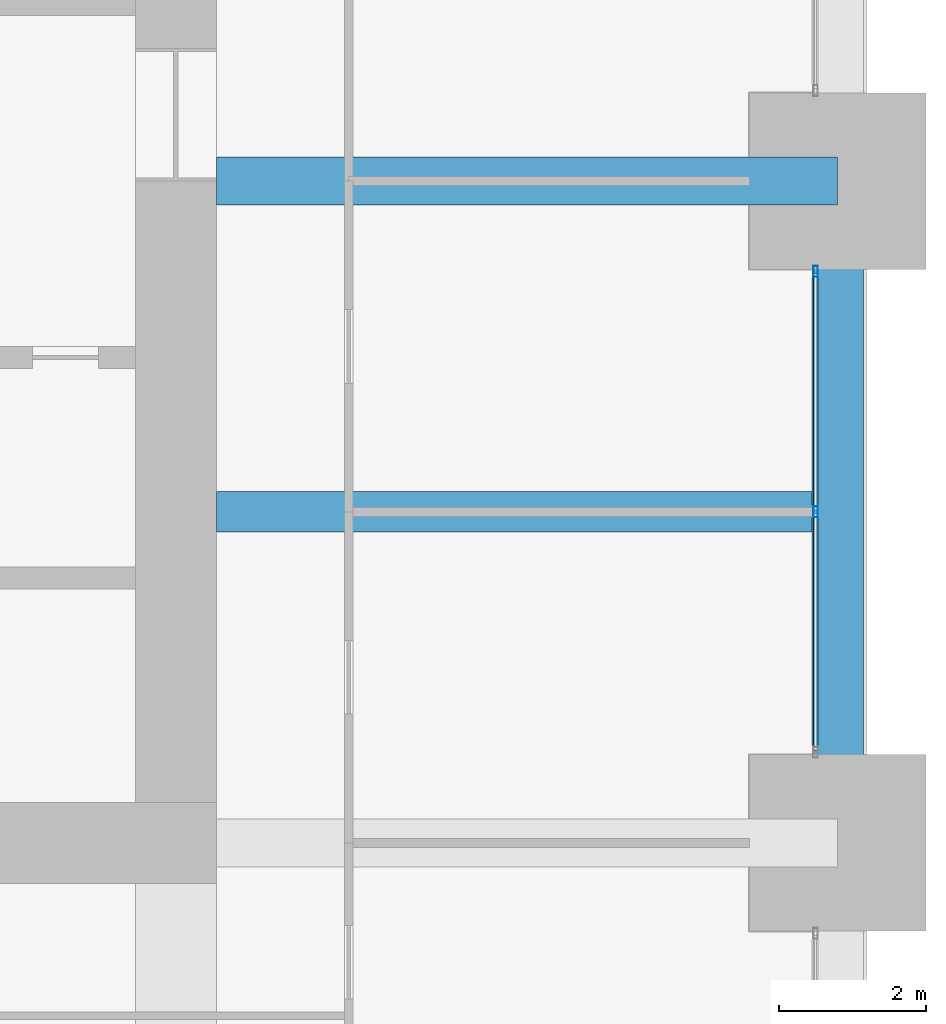
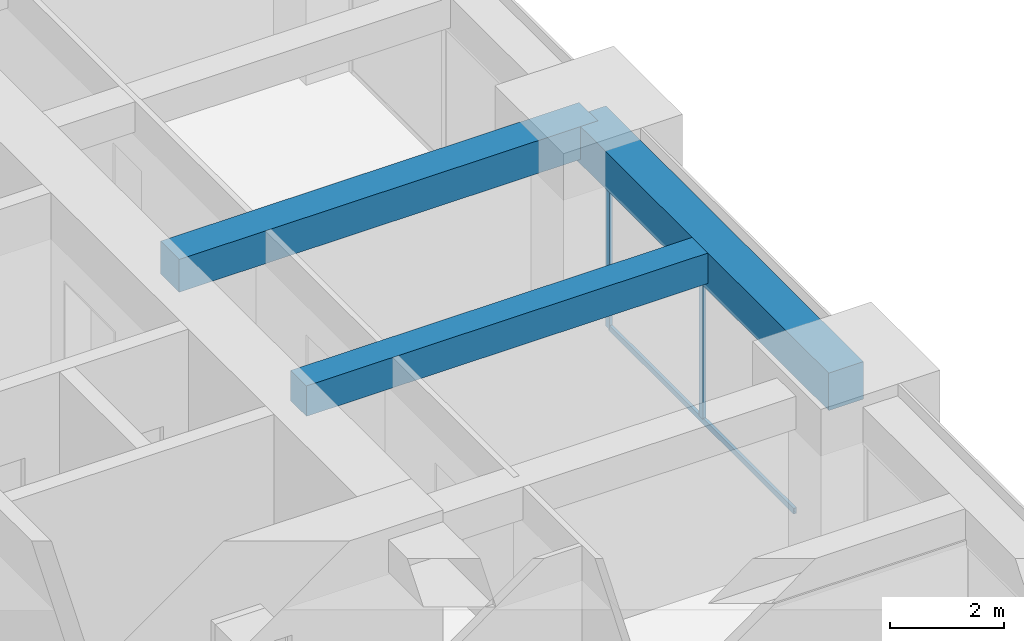
# One storey, part 18 of 32: 3 beams, 3 members, 1 element without a shape of its own.
"""IFC4 building model written with IfcOpenShell, lengths in metres."""

from ifc_helpers import new_model, si_unit, direction, frame, origin, origin_2d, place, context, subcontext, project, spatial, rectangle, hollow_rectangle, extrude, material, material_profile, profile_set, type_object, element, aggregate, save


model = new_model("IFC4")

# Units and contexts
model_context = context("Model", 3, precision=1e-05, world=origin(), true_north=direction((0.0, 1.0)))
body_context = subcontext(model_context, "Body", "Model", "MODEL_VIEW")
ifc_project = project(units=[si_unit("LENGTHUNIT", "METRE"), si_unit("AREAUNIT", "SQUARE_METRE"), si_unit("VOLUMEUNIT", "CUBIC_METRE"), si_unit("PLANEANGLEUNIT", "RADIAN"), si_unit("MASSUNIT", "GRAM", prefix="KILO")], contexts=[model_context])

# Site, building, storey
site_placement = place(None, origin())
site = spatial("IfcSite", under=ifc_project, at=site_placement, CompositionType="ELEMENT")
building_placement = place(site_placement, origin())
building = spatial("IfcBuilding", under=site, at=building_placement, Name="Zorevar Civic Tower", CompositionType="ELEMENT")
storey_placement = place(building_placement, frame((0.0, 0.0, 186.199951171875)))
storey = spatial("IfcBuildingStorey", under=building, at=storey_placement, Name="L45", CompositionType="ELEMENT", Elevation=186.199951171875)

# Beams
ifc_material_1 = material(Name="Concrete C50/60", Category="concrete")
ifc_material_profile_1 = material_profile(ifc_material_1, rectangle(XDim=0.550048828125, YDim=0.64990234375, at=origin_2d()), Name="RC 550x650")
ifc_profile_set_1 = profile_set([ifc_material_profile_1], Name="Concrete C50/60")
beam_type_1 = type_object("IfcBeamType", Name="Beam RC 550x650", PredefinedType="BEAM", material=ifc_profile_set_1)
beam_1_placement = place(storey_placement, frame((45.550048828125, 22.5, 3.425048828125), z_axis=(1.0, 0.0, 0.0), x_axis=(0.0, 1.0, 0.0)))
element("IfcBeam", 1, at=beam_1_placement, inside=storey, type_object=beam_type_1, Name="Secondary beam L46", PredefinedType="BEAM", context=body_context, shape_type="SweptSolid", body=[
    extrude(rectangle(XDim=0.550048828125, YDim=0.64990234375, at=origin_2d()), origin(), (0.0, 0.0, 1.0), 8.099853515625),
])
ifc_material_2 = material(Name="Concrete C50/60", Category="concrete")
ifc_material_profile_2 = material_profile(ifc_material_2, rectangle(XDim=0.64990234375, YDim=0.699951171875, at=origin_2d()), Name="RC 650x700")
ifc_profile_set_2 = profile_set([ifc_material_profile_2], Name="Concrete C50/60")
beam_type_2 = type_object("IfcBeamType", Name="Beam RC 650x700", PredefinedType="BEAM", material=ifc_profile_set_2)
beam_2_placement = place(storey_placement, frame((45.550048828125, 27.0, 3.400146484375), z_axis=(1.0, 0.0, 0.0), x_axis=(0.0, 1.0, 0.0)))
element("IfcBeam", 2, at=beam_2_placement, inside=storey, type_object=beam_type_2, Name="Girder L46", PredefinedType="BEAM", context=body_context, shape_type="SweptSolid", body=[
    extrude(rectangle(XDim=0.64990234375, YDim=0.699951171875, at=origin_2d()), origin(), (0.0, 0.0, 1.0), 8.449951171875),
])

# Curtain wall, members
ifc_material_3 = material(Name="Dark grey solar-control glass in black aluminium frame", Category="aluminium")
curtain_wall_type = type_object("IfcCurtainWallType", Name="Curtain wall CW4 high zone", PredefinedType="NOTDEFINED", material=ifc_material_3)
curtain_wall_placement = place(storey_placement, origin())
curtain_wall = element("IfcCurtainWall", 3, at=curtain_wall_placement, inside=storey, type_object=curtain_wall_type, Name="CW4 L45", PredefinedType="NOTDEFINED")
ifc_material_4 = material(Name="Aluminium, black anodised", Category="aluminium")
ifc_material_profile_3 = material_profile(ifc_material_4, hollow_rectangle(XDim=0.06005859375, YDim=0.14990234375, WallThickness=0.00390625, at=origin_2d()), Name="AL 150x60x4")
ifc_profile_set_3 = profile_set([ifc_material_profile_3], Name="Aluminium, black anodised")
member_type_1 = type_object("IfcMemberType", Name="CW4 mullion AL 150x60x4", PredefinedType="MULLION", material=ifc_profile_set_3)
member_1_placement = place(storey_placement, frame((53.699951171875, 22.5, 0.06005859375), z_axis=(0.0, 0.0, 1.0), x_axis=(-1.0, 0.0, 0.0)))
member_1 = element("IfcMember", 4, at=member_1_placement, type_object=member_type_1, Name="CW4 mullion 2", PredefinedType="MULLION", context=body_context, shape_type="SweptSolid", body=[
    extrude(hollow_rectangle(XDim=0.06005859375, YDim=0.14990234375, WallThickness=0.00390625, at=origin_2d()), origin(), (0.0, 0.0, 1.0), 2.889892578125),
])
member_2_placement = place(storey_placement, frame((53.699951171875, 25.77001953125, 0.0), z_axis=(0.0, 0.0, 1.0), x_axis=(-1.0, 0.0, 0.0)))
member_2 = element("IfcMember", 5, at=member_2_placement, type_object=member_type_1, Name="CW4 mullion 3", PredefinedType="MULLION", context=body_context, shape_type="SweptSolid", body=[
    extrude(hollow_rectangle(XDim=0.06005859375, YDim=0.14990234375, WallThickness=0.00390625, at=origin_2d()), origin(), (0.0, 0.0, 1.0), 2.949951171875),
])
ifc_material_5 = material(Name="Aluminium, black anodised", Category="aluminium")
ifc_material_profile_4 = material_profile(ifc_material_5, hollow_rectangle(XDim=0.06005859375, YDim=0.1201171875, WallThickness=0.0029296875, at=origin_2d()), Name="AL 120x60x3")
ifc_profile_set_4 = profile_set([ifc_material_profile_4], Name="Aluminium, black anodised")
member_type_2 = type_object("IfcMemberType", Name="CW4 transom AL 120x60x3", PredefinedType="USERDEFINED", material=ifc_profile_set_4)
member_3_placement = place(storey_placement, frame((53.699951171875, 19.260009765625, 0.030029296875), z_axis=(0.0, 1.0, 0.0), x_axis=(-1.0, 0.0, 0.0)))
member_3 = element("IfcMember", 6, at=member_3_placement, type_object=member_type_2, Name="CW4 sill transom", ObjectType="TRANSOM", PredefinedType="USERDEFINED", context=body_context, shape_type="SweptSolid", body=[
    extrude(hollow_rectangle(XDim=0.06005859375, YDim=0.1201171875, WallThickness=0.0029296875, at=origin_2d()), origin(), (0.0, 0.0, 1.0), 6.47998046875),
])
aggregate(curtain_wall, [member_1, member_2, member_3])

# Beam
ifc_material_6 = material(Name="Concrete C50/60", Category="concrete")
ifc_material_profile_5 = material_profile(ifc_material_6, rectangle(XDim=0.699951171875, YDim=0.800048828125, at=origin_2d()), Name="RC 700x800")
ifc_profile_set_5 = profile_set([ifc_material_profile_5], Name="Concrete C50/60")
beam_type_3 = type_object("IfcBeamType", Name="Edge beam RC 700x800", PredefinedType="SPANDREL", material=ifc_profile_set_5)
beam_3_placement = place(storey_placement, frame((54.0, 18.0, 3.35009765625), z_axis=(0.0, 1.0, 0.0), x_axis=(-1.0, 0.0, 0.0)))
element("IfcBeam", 7, at=beam_3_placement, inside=storey, type_object=beam_type_3, Name="Edge beam L46", PredefinedType="SPANDREL", context=body_context, shape_type="SweptSolid", body=[
    extrude(rectangle(XDim=0.699951171875, YDim=0.800048828125, at=origin_2d()), origin(), (0.0, 0.0, 1.0), 9.0),
])

save(model, "model.ifc")
